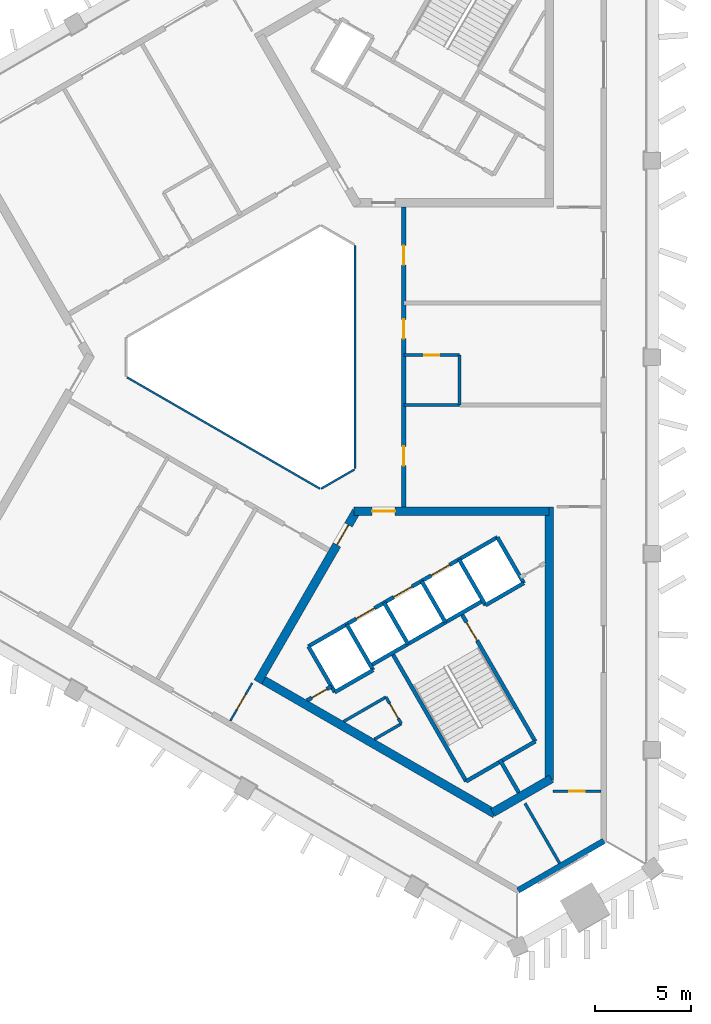
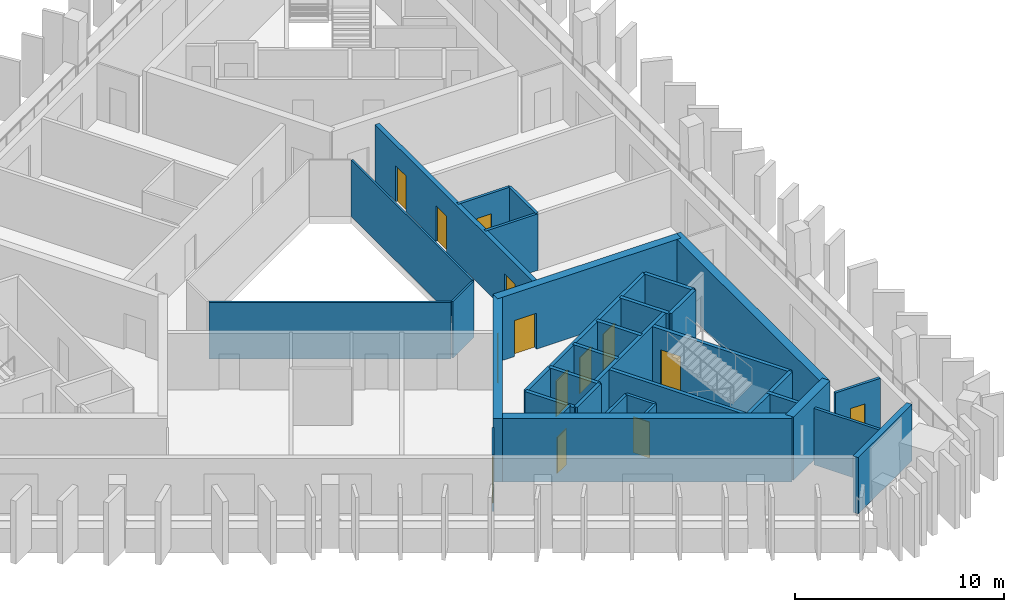
# One storey, part 3 of 9: 34 walls, 14 doors, 14 openings.
"""IFC4 building model written with IfcOpenShell, lengths in metres."""

import ifcopenshell
import ifcopenshell.guid

model = None  # the IFC model being written
_history = None  # IfcOwnerHistory: only IFC2X3 demands one
_inside = {}  # id of a spatial element -> (the spatial element, [elements in it])
_under = {}  # id of a project, library or spatial element -> (it, [spatial elements below it])
_declared = {}  # id of a project -> (the project, [libraries it declares])
_typed = {}  # id of a type object -> (the type object, [elements of that type])
_made_of = {}  # id of a material, layer set ... -> (it, [elements and type objects made of it])


def new_model(schema):
    """Start an empty IFC model of exactly this schema.

    Asked for "IFC4X3", IfcOpenShell would pick the latest addendum, in which some entities
    have other attributes; the version numbers below select the first issue.
    IFC2X3 requires an IfcOwnerHistory on every rooted entity: one is made here for all.
    """
    global model, _history
    if schema == "IFC4X3":
        model = ifcopenshell.file(schema_version=(4, 3, 0, 0))
    else:
        model = ifcopenshell.file(schema=schema)
    _inside.clear()
    _under.clear()
    _declared.clear()
    _typed.clear()
    _made_of.clear()
    _history = None
    if model.schema == "IFC2X3":
        org = make("IfcOrganization", Name="unknown")
        user = make(
            "IfcPersonAndOrganization",
            ThePerson=make("IfcPerson", FamilyName="unknown"),
            TheOrganization=org,
        )
        app = make(
            "IfcApplication",
            ApplicationDeveloper=org,
            Version="unknown",
            ApplicationFullName="unknown",
            ApplicationIdentifier="unknown",
        )
        _history = make(
            "IfcOwnerHistory",
            OwningUser=user,
            OwningApplication=app,
            ChangeAction="ADDED",
            CreationDate=0,
        )
    return model


def make(cls, **values):
    """One entity of the class cls with the attributes given. An attribute that is None is left unset."""
    return model.create_entity(
        cls, **{name: value for name, value in values.items() if value is not None}
    )


def rooted(cls, **values):
    """An entity with a GlobalId (a new one), such as an element, a storey or a relation."""
    return make(cls, GlobalId=ifcopenshell.guid.new(), OwnerHistory=_history, **values)


def si_unit(unit_type, name, prefix=None):
    """IfcSIUnit, for example si_unit("LENGTHUNIT", "METRE", prefix="MILLI")."""
    return make("IfcSIUnit", UnitType=unit_type, Prefix=prefix, Name=name)


def assignment(units):
    """IfcUnitAssignment: the units of a project."""
    return None if units is None else make("IfcUnitAssignment", Units=units)


def point(xyz):
    """IfcCartesianPoint."""
    return None if xyz is None else make("IfcCartesianPoint", Coordinates=xyz)


def direction(xyz):
    """IfcDirection."""
    return None if xyz is None else make("IfcDirection", DirectionRatios=xyz)


def frame(location, z_axis=None, x_axis=None):
    """IfcAxis2Placement3D, a coordinate frame: its origin and axes. An axis left out is left unset."""
    return make(
        "IfcAxis2Placement3D",
        Location=point(location),
        Axis=direction(z_axis),
        RefDirection=direction(x_axis),
    )


def frame_2d(location, x_axis=None):
    """IfcAxis2Placement2D, a coordinate frame in the plane: its origin and x axis."""
    return make(
        "IfcAxis2Placement2D", Location=point(location), RefDirection=direction(x_axis)
    )


def origin():
    """The frame at (0, 0, 0) with its axes left unset."""
    return frame((0.0, 0.0, 0.0))


def place(relative_to, where):
    """IfcLocalPlacement: puts the frame where relative to a parent placement (None: the world)."""
    return make(
        "IfcLocalPlacement", PlacementRelTo=relative_to, RelativePlacement=where
    )


def context(
    kind, dimensions, precision=None, world=None, true_north=None, identifier=None
):
    """IfcGeometricRepresentationContext, for example the 3D "Model" context."""
    return make(
        "IfcGeometricRepresentationContext",
        ContextIdentifier=identifier,
        ContextType=kind,
        CoordinateSpaceDimension=dimensions,
        Precision=precision,
        WorldCoordinateSystem=world,
        TrueNorth=true_north,
    )


def subcontext(parent, identifier, kind, view, scale=None):
    """IfcGeometricRepresentationSubContext, for example "Body" below "Model"."""
    return make(
        "IfcGeometricRepresentationSubContext",
        ContextIdentifier=identifier,
        ContextType=kind,
        ParentContext=parent,
        TargetScale=scale,
        TargetView=view,
    )


def project(units=None, contexts=None):
    """IfcProject with its units and contexts."""
    return rooted(
        "IfcProject",
        Name="project",
        RepresentationContexts=contexts,
        UnitsInContext=assignment(units),
    )


def spatial(cls, under=None, at=None, **own):
    """A site, building, storey or space (cls), placed at a placement, below another one or the project."""
    s = rooted(cls, ObjectPlacement=at, **own)
    if under is not None:
        _under.setdefault(under.id(), (under, []))[1].append(s)
    return s


def profile(cls, at=None, kind="AREA", **sizes):
    """A parametric profile (cls). Its sizes go by their IFC names, for example OverallWidth=200.0."""
    return make(cls, ProfileType=kind, Position=at, **sizes)


def rectangle(**sizes):
    """IfcRectangleProfileDef."""
    return profile("IfcRectangleProfileDef", **sizes)


def extrude(swept, where, along, depth):
    """IfcExtrudedAreaSolid: the profile swept, set in the frame where, extruded along a direction by depth."""
    return make(
        "IfcExtrudedAreaSolid",
        SweptArea=swept,
        Position=where,
        ExtrudedDirection=direction(along),
        Depth=depth,
    )


def shape(context_of_items, identifier, shape_type, items):
    """IfcShapeRepresentation: the items that make up one representation, for example the "Body"."""
    return make(
        "IfcShapeRepresentation",
        ContextOfItems=context_of_items,
        RepresentationIdentifier=identifier,
        RepresentationType=shape_type,
        Items=items,
    )


def material(Name=None, Category=None):
    """IfcMaterial."""
    return make("IfcMaterial", Name=Name, Category=Category)


def layer(
    of_material, thickness, ventilated=None, Name=None, Category=None, Priority=None
):
    """IfcMaterialLayer: one layer of a wall or slab, of a material (None: an air gap)."""
    return make(
        "IfcMaterialLayer",
        Material=of_material,
        LayerThickness=thickness,
        IsVentilated=ventilated,
        Name=Name,
        Category=Category,
        Priority=Priority,
    )


def layer_set(layers, Name=None):
    """IfcMaterialLayerSet."""
    return make("IfcMaterialLayerSet", MaterialLayers=layers, LayerSetName=Name)


def made_of(thing, what):
    """Note that an element or type object is made of a material, layer set ...; save() writes the relation."""
    if what is not None:
        _made_of.setdefault(what.id(), (what, []))[1].append(thing)
    return thing


def type_object(cls, material=None, **own):
    """A type object (cls), such as IfcWallType, which elements share."""
    return made_of(rooted(cls, **own), material)


def element(
    cls,
    number,
    at=None,
    inside=None,
    cuts=None,
    type_object=None,
    material=None,
    context=None,
    identifier="Body",
    shape_type=None,
    held_by="IfcProductDefinitionShape",
    body=None,
    shapes=None,
    **own,
):
    """One element of the class cls, such as IfcWall. Its Tag is "e" and its number.

    at: its placement. inside: the storey or other place that contains it. cuts: it is an
    opening in that element (IfcRelVoidsElement). A single representation is given by context,
    identifier, shape_type and body (its items); several are given by shapes. held_by: the class
    of the entity that holds the representations. save() writes the other relations.
    """
    e = rooted(cls, Tag="e%d" % number, ObjectPlacement=at, **own)
    if body is not None:
        shapes = [shape(context, identifier, shape_type, body)]
    if shapes is not None:
        e.Representation = make(held_by, Representations=shapes)
    if inside is not None:
        _inside.setdefault(inside.id(), (inside, []))[1].append(e)
    if cuts is not None:
        rooted(
            "IfcRelVoidsElement", RelatingBuildingElement=cuts, RelatedOpeningElement=e
        )
    if type_object is not None:
        _typed.setdefault(type_object.id(), (type_object, []))[1].append(e)
    return made_of(e, material)


def fill(opening, filler):
    """IfcRelFillsElement: the door or window that sits in an opening."""
    return rooted(
        "IfcRelFillsElement",
        RelatingOpeningElement=opening,
        RelatedBuildingElement=filler,
    )


def aggregate(whole, parts):
    """IfcRelAggregates: a whole, such as a stair, and the parts it consists of."""
    return rooted("IfcRelAggregates", RelatingObject=whole, RelatedObjects=parts)


def save(model, path):
    """Write the relations noted so far, then the file.

    IfcRelAggregates (storeys below a building ...), IfcRelContainedInSpatialStructure (elements
    in a storey), IfcRelDefinesByType, IfcRelAssociatesMaterial and IfcRelDeclares: one each for
    every whole, place, type object, material and project.
    """
    for whole, parts in _under.values():
        aggregate(whole, parts)
    for where, things in _inside.values():
        rooted(
            "IfcRelContainedInSpatialStructure",
            RelatedElements=things,
            RelatingStructure=where,
        )
    for kind, things in _typed.values():
        rooted("IfcRelDefinesByType", RelatedObjects=things, RelatingType=kind)
    for what, things in _made_of.values():
        rooted("IfcRelAssociatesMaterial", RelatedObjects=things, RelatingMaterial=what)
    for by, libraries in _declared.values():
        rooted("IfcRelDeclares", RelatingContext=by, RelatedDefinitions=libraries)
    model.write(path)


model = new_model("IFC4")

# Units and contexts
model_context = context("Model", 3, precision=1e-05, world=origin(), true_north=direction((0.0, 1.0)))
body_context = subcontext(model_context, "Body", "Model", "MODEL_VIEW")
ifc_project = project(units=[si_unit("LENGTHUNIT", "METRE"), si_unit("AREAUNIT", "SQUARE_METRE"), si_unit("VOLUMEUNIT", "CUBIC_METRE"), si_unit("PLANEANGLEUNIT", "RADIAN"), si_unit("MASSUNIT", "GRAM", prefix="KILO")], contexts=[model_context])

# Site, building, storey
site_placement = place(None, origin())
site = spatial("IfcSite", under=ifc_project, at=site_placement, CompositionType="ELEMENT")
building_placement = place(site_placement, origin())
building = spatial("IfcBuilding", under=site, at=building_placement, Name="Jabali Bay Hotel Tower and Convention Centre", CompositionType="ELEMENT")
storey_placement = place(building_placement, frame((0.0, 0.0, 228.0)))
storey = spatial("IfcBuildingStorey", under=building, at=storey_placement, Name="L56", CompositionType="ELEMENT", Elevation=228.0)

# Walls
ifc_material_1 = material(Name="Fire-resistant glazing", Category="glass")
ifc_layer_1 = layer(ifc_material_1, 0.10009765625)
ifc_layer_set_1 = layer_set([ifc_layer_1], Name="Fire-resistant glazing")
wall_type_1 = type_object("IfcWallType", Name="Atrium glazed screen 100", PredefinedType="PARTITIONING", material=ifc_layer_set_1)
for number, where, z_axis, x_axis, name in (
    (1, (79.56005859375, 74.205810546875, 0.0), (0.0, 0.0, 1.0), (0.0, 1.0, 0.0), "Atrium screen 1 L56"),
    (2, (67.7021484375, 78.947998046875, 0.0), (0.0, 0.0, 1.0), (0.866026658274, -0.499997827154, 0.0), "Atrium screen 5 L56"),
):
    element("IfcWall", number, at=place(storey_placement, frame(where, z_axis=z_axis, x_axis=x_axis)), inside=storey, type_object=wall_type_1, Name=name, PredefinedType="PARTITIONING", context=body_context, shape_type="SweptSolid", body=[
        extrude(rectangle(XDim=11.58837890625, YDim=0.10009765625, at=frame_2d((5.794189453125, 0.0))), origin(), (0.0, 0.0, 1.0), 3.300048828125),
    ])
wall_1_placement = place(storey_placement, frame((77.7978515625, 73.15380859375, 0.0), z_axis=(0.0, 0.0, 1.0), x_axis=(0.866041268327, 0.499972520799, 0.0)))
element("IfcWall", 3, at=wall_1_placement, inside=storey, type_object=wall_type_1, Name="Atrium screen 6 L56", PredefinedType="PARTITIONING", context=body_context, shape_type="SweptSolid", body=[
    extrude(rectangle(XDim=2.0, YDim=0.10009765625, at=frame_2d((1.0, 0.0))), origin(), (0.0, 0.0, 1.0), 3.300048828125),
])
ifc_material_2 = material(Name="Concrete C40", Category="concrete")
ifc_layer_2 = layer(ifc_material_2, 0.199951171875)
ifc_layer_set_2 = layer_set([ifc_layer_2], Name="Concrete C40")
wall_type_2 = type_object("IfcWallType", Name="Core partition wall 200", PredefinedType="PARTITIONING", material=ifc_layer_set_2)
wall_2_placement = place(storey_placement, frame((87.090087890625, 59.0595703125, 0.0), z_axis=(0.0, 0.0, 1.0), x_axis=(0.500011643316, -0.866018681408, 0.0)))
element("IfcWall", 4, at=wall_2_placement, inside=storey, type_object=wall_type_2, Name="Core wall 2.5 L56", PredefinedType="PARTITIONING", context=body_context, shape_type="SweptSolid", body=[
    extrude(rectangle(XDim=1.97314453125, YDim=0.199951171875, at=frame_2d((0.986572265625, 0.0))), origin(), (0.0, 0.0, 1.0), 3.300048828125),
])

# Wall, opening, door
wall_3_placement = place(storey_placement, frame((77.070068359375, 62.142578125, 0.0), z_axis=(0.0, 0.0, 1.0), x_axis=(0.866013036001, 0.500021421018, 0.0)))
wall_3 = element("IfcWall", 5, at=wall_3_placement, inside=storey, type_object=wall_type_2, Name="Core wall 2.11 L56", PredefinedType="PARTITIONING", context=body_context, shape_type="SweptSolid", body=[
    extrude(rectangle(XDim=1.4609375, YDim=0.199951171875, at=frame_2d((0.73046875, 0.0))), origin(), (0.0, 0.0, 1.0), 3.300048828125),
])
opening_1_placement = place(wall_3_placement, frame((0.280517578125, 0.0, 0.0)))
opening_1 = element("IfcOpeningElement", 6, at=opening_1_placement, cuts=wall_3, Name="Opening D1230", PredefinedType="OPENING", context=body_context, shape_type="SweptSolid", body=[
    extrude(rectangle(XDim=0.89990234375, YDim=2.10009765625, at=frame_2d((0.449951171875, 1.050048828125))), frame((0.0, 0.1103515625, 0.0), z_axis=(0.0, -1.0, 0.0), x_axis=(1.0, 0.0, 0.0)), (0.0, 0.0, 1.0), 0.220947265625),
])
ifc_material_3 = material(Name="Fire-rated steel door", Category="steel")
door_type_1 = type_object("IfcDoorType", Name="Vestibule fire door 900 x 2100", OperationType="NOTDEFINED", PredefinedType="NOTDEFINED", material=ifc_material_3)
door_1_placement = place(opening_1_placement, origin())
door_1 = element("IfcDoor", 7, at=door_1_placement, inside=storey, type_object=door_type_1, Name="Vestibule fire door D1230", OperationType="SINGLE_SWING_LEFT", OverallHeight=2.10009765625, OverallWidth=0.89990234375, PredefinedType="NOTDEFINED", context=body_context, shape_type="SweptSolid", body=[
    extrude(rectangle(XDim=0.89990234375, YDim=2.10009765625, at=frame_2d((0.449951171875, 1.050048828125))), frame((0.0, 0.02490234375, 0.0), z_axis=(0.0, -1.0, 0.0), x_axis=(1.0, 0.0, 0.0)), (0.0, 0.0, 1.0), 0.050048828125),
])
fill(opening_1, door_1)

ifc_material_4 = material(Name="Fire-rated board partition")
ifc_layer_3 = layer(ifc_material_4, 0.14990234375)
ifc_layer_set_3 = layer_set([ifc_layer_3], Name="Fire-rated board partition")
wall_type_3 = type_object("IfcWallType", Name="Core room partition 150", PredefinedType="PARTITIONING", material=ifc_layer_set_3)
wall_4_placement = place(storey_placement, frame((81.1689453125, 62.315185546875, 0.0), z_axis=(0.0, 0.0, 1.0), x_axis=(0.499995408039, -0.866028054938, 0.0)))
wall_4 = element("IfcWall", 8, at=wall_4_placement, inside=storey, type_object=wall_type_3, Name="Core wall 2.1 L56", PredefinedType="PARTITIONING", context=body_context, shape_type="SweptSolid", body=[
    extrude(rectangle(XDim=1.60009765625, YDim=0.14990234375, at=frame_2d((0.800048828125, 0.0))), origin(), (0.0, 0.0, 1.0), 3.300048828125),
])
opening_2_placement = place(wall_4_placement, frame((0.387451171875, 0.0, 0.0)))
opening_2 = element("IfcOpeningElement", 9, at=opening_2_placement, cuts=wall_4, Name="Opening D1232", PredefinedType="OPENING", context=body_context, shape_type="SweptSolid", body=[
    extrude(rectangle(XDim=0.89990234375, YDim=2.10009765625, at=frame_2d((0.449951171875, 1.050048828125))), frame((0.0, 0.08544921875, 0.0), z_axis=(0.0, -1.0, 0.0), x_axis=(1.0, 0.0, 0.0)), (0.0, 0.0, 1.0), 0.1708984375),
])
door_type_2 = type_object("IfcDoorType", Name="Core room door 900 x 2100", OperationType="NOTDEFINED", PredefinedType="NOTDEFINED", material=ifc_material_3)
door_2_placement = place(opening_2_placement, origin())
door_2 = element("IfcDoor", 10, at=door_2_placement, inside=storey, type_object=door_type_2, Name="Core room door D1232", OperationType="SINGLE_SWING_LEFT", OverallHeight=2.10009765625, OverallWidth=0.89990234375, PredefinedType="NOTDEFINED", context=body_context, shape_type="SweptSolid", body=[
    extrude(rectangle(XDim=0.89990234375, YDim=2.10009765625, at=frame_2d((0.449951171875, 1.050048828125))), frame((0.0, 0.02490234375, 0.0), z_axis=(0.0, -1.0, 0.0), x_axis=(1.0, 0.0, 0.0)), (0.0, 0.0, 1.0), 0.050048828125),
])
fill(opening_2, door_2)

# Walls
wall_5_placement = place(storey_placement, frame((78.969970703125, 61.045654296875, 0.0), z_axis=(0.0, 0.0, 1.0), x_axis=(0.866033475577, 0.499986018985, 0.0)))
element("IfcWall", 11, at=wall_5_placement, inside=storey, type_object=wall_type_3, Name="Core wall 2.16 L56", PredefinedType="PARTITIONING", context=body_context, shape_type="SweptSolid", body=[
    extrude(rectangle(XDim=2.5390625, YDim=0.14990234375, at=frame_2d((1.26953125, 0.0))), origin(), (0.0, 0.0, 1.0), 3.300048828125),
])
wall_6_placement = place(storey_placement, frame((80.570068359375, 60.121826171875, 0.0), z_axis=(0.0, 0.0, 1.0), x_axis=(0.866039608017, 0.49997539674, 0.0)))
element("IfcWall", 12, at=wall_6_placement, inside=storey, type_object=wall_type_3, Name="Core wall 2.17 L56", PredefinedType="PARTITIONING", context=body_context, shape_type="SweptSolid", body=[
    extrude(rectangle(XDim=1.615234375, YDim=0.14990234375, at=frame_2d((0.8076171875, 0.0))), origin(), (0.0, 0.0, 1.0), 3.300048828125),
])
ifc_layer_4 = layer(ifc_material_2, 0.199951171875)
ifc_layer_set_4 = layer_set([ifc_layer_4], Name="Concrete C40")
wall_type_4 = type_object("IfcWallType", Name="Core stair wall 200", PredefinedType="SOLIDWALL", material=ifc_layer_set_4)
for number, where, z_axis, x_axis, name in (
    (13, (77.13525390625, 64.95166015625, 0.0), (0.0, 0.0, 1.0), (0.499996545922, -0.866027397988, 0.0), "Core wall 2.0 L56"),
    (14, (79.127197265625, 66.1015625, 0.0), (0.0, 0.0, 1.0), (0.499996545922, -0.866027397988, 0.0), "Core wall 2.2 L56"),
):
    element("IfcWall", number, at=place(storey_placement, frame(where, z_axis=z_axis, x_axis=x_axis)), inside=storey, type_object=wall_type_4, Name=name, PredefinedType="SOLIDWALL", context=body_context, shape_type="SweptSolid", body=[
        extrude(rectangle(XDim=2.75, YDim=0.199951171875, at=frame_2d((1.375, 0.0))), origin(), (0.0, 0.0, 1.0), 3.300048828125),
    ])
wall_7_placement = place(storey_placement, frame((81.492919921875, 64.603759765625, 0.0), z_axis=(0.0, 0.0, 1.0), x_axis=(0.500006057782, -0.866021906294, 0.0)))
element("IfcWall", 15, at=wall_7_placement, inside=storey, type_object=wall_type_4, Name="Core wall 2.3 L56", PredefinedType="SOLIDWALL", context=body_context, shape_type="SweptSolid", body=[
    extrude(rectangle(XDim=7.7001953125, YDim=0.199951171875, at=frame_2d((3.85009765625, 0.0))), origin(), (0.0, 0.0, 1.0), 3.300048828125),
])
for number, where, z_axis, x_axis, name in (
    (16, (81.07568359375, 67.2265625, 0.0), (0.0, 0.0, 1.0), (0.50000366821, -0.866023285932, 0.0), "Core wall 2.4 L56"),
    (17, (83.024169921875, 68.3515625, 0.0), (0.0, 0.0, 1.0), (0.50000366821, -0.866023285932, 0.0), "Core wall 2.6 L56"),
):
    element("IfcWall", number, at=place(storey_placement, frame(where, z_axis=z_axis, x_axis=x_axis)), inside=storey, type_object=wall_type_4, Name=name, PredefinedType="SOLIDWALL", context=body_context, shape_type="SweptSolid", body=[
        extrude(rectangle(XDim=2.47998046875, YDim=0.199951171875, at=frame_2d((1.239990234375, 0.0))), origin(), (0.0, 0.0, 1.0), 3.300048828125),
    ])

# Wall, opening, door
wall_8_placement = place(storey_placement, frame((85.0869140625, 66.6787109375, 0.0), z_axis=(0.0, 0.0, 1.0), x_axis=(0.500019787375, -0.866013979237, 0.0)))
wall_8 = element("IfcWall", 18, at=wall_8_placement, inside=storey, type_object=wall_type_4, Name="Core wall 2.7 L56", PredefinedType="SOLIDWALL", context=body_context, shape_type="SweptSolid", body=[
    extrude(rectangle(XDim=7.699951171875, YDim=0.199951171875, at=frame_2d((3.85009765625, 0.0))), origin(), (0.0, 0.0, 1.0), 3.300048828125),
])
opening_3_placement = place(wall_8_placement, frame((0.550048828125, 0.0, 0.0)))
opening_3 = element("IfcOpeningElement", 19, at=opening_3_placement, cuts=wall_8, Name="Opening D1231", PredefinedType="OPENING", context=body_context, shape_type="SweptSolid", body=[
    extrude(rectangle(XDim=1.10009765625, YDim=2.10009765625, at=frame_2d((0.550048828125, 1.050048828125))), frame((0.0, 0.1103515625, 0.0), z_axis=(0.0, -1.0, 0.0), x_axis=(1.0, 0.0, 0.0)), (0.0, 0.0, 1.0), 0.220947265625),
])
door_type_3 = type_object("IfcDoorType", Name="Stair fire door 1100 x 2100", OperationType="NOTDEFINED", PredefinedType="NOTDEFINED", material=ifc_material_3)
door_3_placement = place(opening_3_placement, origin())
door_3 = element("IfcDoor", 20, at=door_3_placement, inside=storey, type_object=door_type_3, Name="Stair fire door D1231", OperationType="SINGLE_SWING_RIGHT", OverallHeight=2.10009765625, OverallWidth=1.10009765625, PredefinedType="NOTDEFINED", context=body_context, shape_type="SweptSolid", body=[
    extrude(rectangle(XDim=1.10009765625, YDim=2.10009765625, at=frame_2d((0.550048828125, 1.050048828125))), frame((0.0, 0.02490234375, 0.0), z_axis=(0.0, -1.0, 0.0), x_axis=(1.0, 0.0, 0.0)), (0.0, 0.0, 1.0), 0.050048828125),
])
fill(opening_3, door_3)

# Walls
for number, where, z_axis, x_axis, name in (
    (21, (84.972900390625, 69.4765625, 0.0), (0.0, 0.0, 1.0), (0.499996545922, -0.866027397988, 0.0), "Core wall 2.8 L56"),
    (22, (86.964599609375, 70.62646484375, 0.0), (0.0, 0.0, 1.0), (0.499996545922, -0.866027397988, 0.0), "Core wall 2.9 L56"),
):
    element("IfcWall", number, at=place(storey_placement, frame(where, z_axis=z_axis, x_axis=x_axis)), inside=storey, type_object=wall_type_4, Name=name, PredefinedType="SOLIDWALL", context=body_context, shape_type="SweptSolid", body=[
        extrude(rectangle(XDim=2.75, YDim=0.199951171875, at=frame_2d((1.375, 0.0))), origin(), (0.0, 0.0, 1.0), 3.300048828125),
    ])

# Wall, openings, doors
wall_9_placement = place(storey_placement, frame((77.13525390625, 64.95166015625, 0.0), z_axis=(0.0, 0.0, 1.0), x_axis=(0.866031916153, 0.499988720078, 0.0)))
wall_9 = element("IfcWall", 23, at=wall_9_placement, inside=storey, type_object=wall_type_4, Name="Core wall 2.10 L56", PredefinedType="SOLIDWALL", context=body_context, shape_type="SweptSolid", body=[
    extrude(rectangle(XDim=11.349853515625, YDim=0.199951171875, at=frame_2d((5.6748046875, 0.0))), origin(), (0.0, 0.0, 1.0), 3.300048828125),
])
opening_4_placement = place(wall_9_placement, frame((2.875, 0.0, 0.0)))
opening_4 = element("IfcOpeningElement", 24, at=opening_4_placement, cuts=wall_9, Name="Opening LD12-L56", PredefinedType="OPENING", context=body_context, shape_type="SweptSolid", body=[
    extrude(rectangle(XDim=1.10009765625, YDim=2.10009765625, at=frame_2d((0.550048828125, 1.050048828125))), frame((0.0, 0.1103515625, 0.0), z_axis=(0.0, -1.0, 0.0), x_axis=(1.0, 0.0, 0.0)), (0.0, 0.0, 1.0), 0.220947265625),
])
opening_5_placement = place(wall_9_placement, frame((5.125, 0.0, 0.0)))
opening_5 = element("IfcOpeningElement", 25, at=opening_5_placement, cuts=wall_9, Name="Opening LD13-L56", PredefinedType="OPENING", context=body_context, shape_type="SweptSolid", body=[
    extrude(rectangle(XDim=1.10009765625, YDim=2.10009765625, at=frame_2d((0.550048828125, 1.050048828125))), frame((0.0, 0.1103515625, 0.0), z_axis=(0.0, -1.0, 0.0), x_axis=(1.0, 0.0, 0.0)), (0.0, 0.0, 1.0), 0.220947265625),
])
opening_6_placement = place(wall_9_placement, frame((7.375, 0.0, 0.0)))
opening_6 = element("IfcOpeningElement", 26, at=opening_6_placement, cuts=wall_9, Name="Opening LD14-L56", PredefinedType="OPENING", context=body_context, shape_type="SweptSolid", body=[
    extrude(rectangle(XDim=1.10009765625, YDim=2.10009765625, at=frame_2d((0.550048828125, 1.050048828125))), frame((0.0, 0.1103515625, 0.0), z_axis=(0.0, -1.0, 0.0), x_axis=(1.0, 0.0, 0.0)), (0.0, 0.0, 1.0), 0.220947265625),
])
ifc_material_5 = material(Name="Stainless steel landing door", Category="steel")
door_type_4 = type_object("IfcDoorType", Name="Landing door 1100 x 2100", OperationType="NOTDEFINED", PredefinedType="NOTDEFINED", material=ifc_material_5)
door_4_placement = place(opening_4_placement, origin())
door_4 = element("IfcDoor", 27, at=door_4_placement, inside=storey, type_object=door_type_4, Name="Landing doors LD12-L56", OperationType="SLIDING_TO_LEFT", OverallHeight=2.10009765625, OverallWidth=1.10009765625, PredefinedType="NOTDEFINED", context=body_context, shape_type="SweptSolid", body=[
    extrude(rectangle(XDim=1.10009765625, YDim=2.10009765625, at=frame_2d((0.550048828125, 1.050048828125))), frame((0.0, 0.02490234375, 0.0), z_axis=(0.0, -1.0, 0.0), x_axis=(1.0, 0.0, 0.0)), (0.0, 0.0, 1.0), 0.050048828125),
])
fill(opening_4, door_4)
door_5_placement = place(opening_5_placement, origin())
door_5 = element("IfcDoor", 28, at=door_5_placement, inside=storey, type_object=door_type_4, Name="Landing doors LD13-L56", OperationType="SLIDING_TO_RIGHT", OverallHeight=2.10009765625, OverallWidth=1.10009765625, PredefinedType="NOTDEFINED", context=body_context, shape_type="SweptSolid", body=[
    extrude(rectangle(XDim=1.10009765625, YDim=2.10009765625, at=frame_2d((0.550048828125, 1.050048828125))), frame((0.0, 0.02490234375, 0.0), z_axis=(0.0, -1.0, 0.0), x_axis=(1.0, 0.0, 0.0)), (0.0, 0.0, 1.0), 0.050048828125),
])
fill(opening_5, door_5)
door_6_placement = place(opening_6_placement, origin())
door_6 = element("IfcDoor", 29, at=door_6_placement, inside=storey, type_object=door_type_4, Name="Landing doors LD14-L56", OperationType="SLIDING_TO_LEFT", OverallHeight=2.10009765625, OverallWidth=1.10009765625, PredefinedType="NOTDEFINED", context=body_context, shape_type="SweptSolid", body=[
    extrude(rectangle(XDim=1.10009765625, YDim=2.10009765625, at=frame_2d((0.550048828125, 1.050048828125))), frame((0.0, 0.02490234375, 0.0), z_axis=(0.0, -1.0, 0.0), x_axis=(1.0, 0.0, 0.0)), (0.0, 0.0, 1.0), 0.050048828125),
])
fill(opening_6, door_6)

# Walls
wall_10_placement = place(storey_placement, frame((80.3671875, 63.953857421875, 0.0), z_axis=(0.0, 0.0, 1.0), x_axis=(0.866026575979, 0.499997969693, 0.0)))
element("IfcWall", 30, at=wall_10_placement, inside=storey, type_object=wall_type_4, Name="Core wall 2.13 L56", PredefinedType="SOLIDWALL", context=body_context, shape_type="SweptSolid", body=[
    extrude(rectangle(XDim=6.75, YDim=0.199951171875, at=frame_2d((3.375, 0.0))), origin(), (0.0, 0.0, 1.0), 3.300048828125),
])
wall_11_placement = place(storey_placement, frame((78.51025390625, 62.570068359375, 0.0), z_axis=(0.0, 0.0, 1.0), x_axis=(0.866053019151, 0.499952165731, 0.0)))
element("IfcWall", 31, at=wall_11_placement, inside=storey, type_object=wall_type_4, Name="Core wall 2.14 L56", PredefinedType="SOLIDWALL", context=body_context, shape_type="SweptSolid", body=[
    extrude(rectangle(XDim=2.300048828125, YDim=0.199951171875, at=frame_2d((1.14990234375, 0.0))), origin(), (0.0, 0.0, 1.0), 3.300048828125),
])
wall_12_placement = place(storey_placement, frame((86.347900390625, 67.094970703125, 0.0), z_axis=(0.0, 0.0, 1.0), x_axis=(0.86602648383, 0.499998129301, 0.0)))
element("IfcWall", 32, at=wall_12_placement, inside=storey, type_object=wall_type_4, Name="Core wall 2.15 L56", PredefinedType="SOLIDWALL", context=body_context, shape_type="SweptSolid", body=[
    extrude(rectangle(XDim=2.2998046875, YDim=0.199951171875, at=frame_2d((1.14990234375, 0.0))), origin(), (0.0, 0.0, 1.0), 3.300048828125),
])
wall_13_placement = place(storey_placement, frame((85.343017578125, 57.935302734375, 0.0), z_axis=(0.0, 0.0, 1.0), x_axis=(0.866004344652, 0.500036473714, 0.0)))
element("IfcWall", 33, at=wall_13_placement, inside=storey, type_object=wall_type_4, Name="Core wall 2.18 L56", PredefinedType="SOLIDWALL", context=body_context, shape_type="SweptSolid", body=[
    extrude(rectangle(XDim=4.150146484375, YDim=0.199951171875, at=frame_2d((2.0751953125, 0.0))), origin(), (0.0, 0.0, 1.0), 3.300048828125),
])

# Wall, opening, door
ifc_material_6 = material(Name="Concrete C60", Category="concrete")
ifc_layer_5 = layer(ifc_material_6, 0.449951171875)
ifc_layer_set_5 = layer_set([ifc_layer_5], Name="Concrete C60")
wall_type_5 = type_object("IfcWallType", Name="Core wall 450", PredefinedType="SHEAR", material=ifc_layer_set_5)
wall_14_placement = place(storey_placement, frame((79.6298828125, 71.980712890625, 0.0), z_axis=(0.0, 0.0, 1.0), x_axis=(-0.500002171595, -0.86602415001, 0.0)))
wall_14 = element("IfcWall", 34, at=wall_14_placement, inside=storey, type_object=wall_type_5, Name="Core wall 3.1 L56", PredefinedType="SHEAR", context=body_context, shape_type="SweptSolid", body=[
    extrude(rectangle(XDim=10.25, YDim=0.449951171875, at=frame_2d((5.125, 0.0))), origin(), (0.0, 0.0, 1.0), 3.699951171875),
])
opening_7_placement = place(wall_14_placement, frame((0.820068359375, 0.0, 0.0)))
opening_7 = element("IfcOpeningElement", 35, at=opening_7_placement, cuts=wall_14, Name="Opening D1227", PredefinedType="OPENING", context=body_context, shape_type="SweptSolid", body=[
    extrude(rectangle(XDim=1.199951171875, YDim=2.10009765625, at=frame_2d((0.60009765625, 1.050048828125))), frame((0.0, 0.2353515625, 0.0), z_axis=(0.0, -1.0, 0.0), x_axis=(1.0, 0.0, 0.0)), (0.0, 0.0, 1.0), 0.470947265625),
])
door_type_5 = type_object("IfcDoorType", Name="Corridor end fire door 1200 x 2100", OperationType="NOTDEFINED", PredefinedType="NOTDEFINED", material=ifc_material_3)
door_7_placement = place(opening_7_placement, origin())
door_7 = element("IfcDoor", 36, at=door_7_placement, inside=storey, type_object=door_type_5, Name="Corridor end fire door D1227", OperationType="SINGLE_SWING_RIGHT", OverallHeight=2.10009765625, OverallWidth=1.199951171875, PredefinedType="NOTDEFINED", context=body_context, shape_type="SweptSolid", body=[
    extrude(rectangle(XDim=1.199951171875, YDim=2.10009765625, at=frame_2d((0.60009765625, 1.050048828125))), frame((0.0, 0.02490234375, 0.0), z_axis=(0.0, -1.0, 0.0), x_axis=(1.0, 0.0, 0.0)), (0.0, 0.0, 1.0), 0.050048828125),
])
fill(opening_7, door_7)

# Walls
wall_15_placement = place(storey_placement, frame((74.617431640625, 63.298828125, 0.0), z_axis=(0.0, 0.0, 1.0), x_axis=(0.86602594008, -0.499999071108, 0.0)))
element("IfcWall", 37, at=wall_15_placement, inside=storey, type_object=wall_type_5, Name="Core wall 3.2 L56", PredefinedType="SHEAR", context=body_context, shape_type="SweptSolid", body=[
    extrude(rectangle(XDim=14.1083984375, YDim=0.449951171875, at=frame_2d((7.05419921875, 0.0))), origin(), (0.0, 0.0, 1.0), 3.699951171875),
])
wall_16_placement = place(storey_placement, frame((86.72314453125, 56.3095703125, 0.0), z_axis=(0.0, 0.0, 1.0), x_axis=(0.866042179588, 0.49997094233, 0.0)))
element("IfcWall", 38, at=wall_16_placement, inside=storey, type_object=wall_type_5, Name="Core wall 3.3 L56", PredefinedType="SHEAR", context=body_context, shape_type="SweptSolid", body=[
    extrude(rectangle(XDim=3.515380859375, YDim=0.449951171875, at=frame_2d((1.7578125, 0.0))), origin(), (0.0, 0.0, 1.0), 3.699951171875),
])
wall_17_placement = place(storey_placement, frame((89.655029296875, 58.002197265625, 0.0), z_axis=(0.0, 0.0, 1.0), x_axis=(0.0, 1.0, 0.0)))
element("IfcWall", 39, at=wall_17_placement, inside=storey, type_object=wall_type_5, Name="Core wall 3.4 L56", PredefinedType="SHEAR", context=body_context, shape_type="SweptSolid", body=[
    extrude(rectangle(XDim=14.20361328125, YDim=0.449951171875, at=frame_2d((7.101806640625, 0.0))), origin(), (0.0, 0.0, 1.0), 3.699951171875),
])

# Wall, opening, door
wall_18_placement = place(storey_placement, frame((89.655029296875, 71.980712890625, 0.0), z_axis=(0.0, 0.0, 1.0), x_axis=(-1.0, 0.0, 0.0)))
wall_18 = element("IfcWall", 40, at=wall_18_placement, inside=storey, type_object=wall_type_5, Name="Core wall 3.5 L56", PredefinedType="SHEAR", context=body_context, shape_type="SweptSolid", body=[
    extrude(rectangle(XDim=10.155029296875, YDim=0.449951171875, at=frame_2d((5.07763671875, 0.0))), origin(), (0.0, 0.0, 1.0), 3.699951171875),
])
opening_8_placement = place(wall_18_placement, frame((8.0048828125, 0.0, 0.0)))
opening_8 = element("IfcOpeningElement", 41, at=opening_8_placement, cuts=wall_18, Name="Opening D1228", PredefinedType="OPENING", context=body_context, shape_type="SweptSolid", body=[
    extrude(rectangle(XDim=1.199951171875, YDim=2.10009765625, at=frame_2d((0.60009765625, 1.050048828125))), frame((0.0, 0.2353515625, 0.0), z_axis=(0.0, -1.0, 0.0), x_axis=(1.0, 0.0, 0.0)), (0.0, 0.0, 1.0), 0.470947265625),
])
door_8_placement = place(opening_8_placement, origin())
door_8 = element("IfcDoor", 42, at=door_8_placement, inside=storey, type_object=door_type_5, Name="Corridor end fire door D1228", OperationType="SINGLE_SWING_LEFT", OverallHeight=2.10009765625, OverallWidth=1.199951171875, PredefinedType="NOTDEFINED", context=body_context, shape_type="SweptSolid", body=[
    extrude(rectangle(XDim=1.199951171875, YDim=2.10009765625, at=frame_2d((0.60009765625, 1.050048828125))), frame((0.0, 0.02490234375, 0.0), z_axis=(0.0, -1.0, 0.0), x_axis=(1.0, 0.0, 0.0)), (0.0, 0.0, 1.0), 0.050048828125),
])
fill(opening_8, door_8)

# Wall, openings, doors
ifc_layer_6 = layer(ifc_material_6, 0.25)
ifc_layer_set_6 = layer_set([ifc_layer_6], Name="Concrete C60")
wall_type_6 = type_object("IfcWallType", Name="Corridor wall 250", PredefinedType="SHEAR", material=ifc_layer_set_6)
wall_19_placement = place(storey_placement, frame((82.10009765625, 72.205810546875, 0.0), z_axis=(0.0, 0.0, 1.0), x_axis=(0.0, 1.0, 0.0)))
wall_19 = element("IfcWall", 43, at=wall_19_placement, inside=storey, type_object=wall_type_6, Name="Corridor wall 1 L56", PredefinedType="SHEAR", context=body_context, shape_type="SweptSolid", body=[
    extrude(rectangle(XDim=15.58837890625, YDim=0.25, at=frame_2d((7.794189453125, 0.0))), origin(), (0.0, 0.0, 1.0), 3.300048828125),
])
opening_9_placement = place(wall_19_placement, frame((2.14990234375, 0.0, 0.0)))
opening_9 = element("IfcOpeningElement", 44, at=opening_9_placement, cuts=wall_19, Name="Opening 5601", PredefinedType="OPENING", context=body_context, shape_type="SweptSolid", body=[
    extrude(rectangle(XDim=1.0, YDim=2.10009765625, at=frame_2d((0.5, 1.050048828125))), frame((0.0, 0.135498046875, 0.0), z_axis=(0.0, -1.0, 0.0), x_axis=(1.0, 0.0, 0.0)), (0.0, 0.0, 1.0), 0.27099609375),
])
opening_10_placement = place(wall_19_placement, frame((8.75, 0.0, 0.0)))
opening_10 = element("IfcOpeningElement", 45, at=opening_10_placement, cuts=wall_19, Name="Opening 5605", PredefinedType="OPENING", context=body_context, shape_type="SweptSolid", body=[
    extrude(rectangle(XDim=1.0, YDim=2.10009765625, at=frame_2d((0.5, 1.050048828125))), frame((0.0, 0.135498046875, 0.0), z_axis=(0.0, -1.0, 0.0), x_axis=(1.0, 0.0, 0.0)), (0.0, 0.0, 1.0), 0.27099609375),
])
opening_11_placement = place(wall_19_placement, frame((12.59423828125, 0.0, 0.0)))
opening_11 = element("IfcOpeningElement", 46, at=opening_11_placement, cuts=wall_19, Name="Opening 5606", PredefinedType="OPENING", context=body_context, shape_type="SweptSolid", body=[
    extrude(rectangle(XDim=1.0, YDim=2.10009765625, at=frame_2d((0.5, 1.050048828125))), frame((0.0, 0.135498046875, 0.0), z_axis=(0.0, -1.0, 0.0), x_axis=(1.0, 0.0, 0.0)), (0.0, 0.0, 1.0), 0.27099609375),
])
ifc_material_7 = material(Name="Timber", Category="wood")
door_type_6 = type_object("IfcDoorType", Name="Guest room door 1000 x 2100", OperationType="NOTDEFINED", PredefinedType="NOTDEFINED", material=ifc_material_7)
door_9_placement = place(opening_9_placement, origin())
door_9 = element("IfcDoor", 47, at=door_9_placement, inside=storey, type_object=door_type_6, Name="Door 5601", OperationType="SINGLE_SWING_LEFT", OverallHeight=2.10009765625, OverallWidth=1.0, PredefinedType="NOTDEFINED", context=body_context, shape_type="SweptSolid", body=[
    extrude(rectangle(XDim=1.0, YDim=2.10009765625, at=frame_2d((0.5, 1.050048828125))), frame((0.0, 0.02490234375, 0.0), z_axis=(0.0, -1.0, 0.0), x_axis=(1.0, 0.0, 0.0)), (0.0, 0.0, 1.0), 0.050048828125),
])
fill(opening_9, door_9)
door_10_placement = place(opening_10_placement, origin())
door_10 = element("IfcDoor", 48, at=door_10_placement, inside=storey, type_object=door_type_6, Name="Door 5605", OperationType="SINGLE_SWING_RIGHT", OverallHeight=2.10009765625, OverallWidth=1.0, PredefinedType="NOTDEFINED", context=body_context, shape_type="SweptSolid", body=[
    extrude(rectangle(XDim=1.0, YDim=2.10009765625, at=frame_2d((0.5, 1.050048828125))), frame((0.0, 0.02490234375, 0.0), z_axis=(0.0, -1.0, 0.0), x_axis=(1.0, 0.0, 0.0)), (0.0, 0.0, 1.0), 0.050048828125),
])
fill(opening_10, door_10)
door_11_placement = place(opening_11_placement, origin())
door_11 = element("IfcDoor", 49, at=door_11_placement, inside=storey, type_object=door_type_6, Name="Door 5606", OperationType="SINGLE_SWING_RIGHT", OverallHeight=2.10009765625, OverallWidth=1.0, PredefinedType="NOTDEFINED", context=body_context, shape_type="SweptSolid", body=[
    extrude(rectangle(XDim=1.0, YDim=2.10009765625, at=frame_2d((0.5, 1.050048828125))), frame((0.0, 0.02490234375, 0.0), z_axis=(0.0, -1.0, 0.0), x_axis=(1.0, 0.0, 0.0)), (0.0, 0.0, 1.0), 0.050048828125),
])
fill(opening_11, door_11)

# Wall
ifc_layer_7 = layer(ifc_material_2, 0.300048828125)
ifc_layer_set_7 = layer_set([ifc_layer_7], Name="Concrete C40")
wall_type_7 = type_object("IfcWallType", Name="External wall 300", PredefinedType="SOLIDWALL", material=ifc_layer_set_7)
wall_20_placement = place(storey_placement, frame((92.502685546875, 54.833740234375, 0.0), z_axis=(0.0, 0.0, 1.0), x_axis=(-0.866011086668, -0.500024797153, 0.0)))
element("IfcWall", 50, at=wall_20_placement, inside=storey, type_object=wall_type_7, Name="External wall south-east chamfer L56", PredefinedType="SOLIDWALL", context=body_context, shape_type="SweptSolid", body=[
    extrude(rectangle(XDim=5.149169921875, YDim=0.300048828125, at=frame_2d((2.57470703125, 0.0))), origin(), (0.0, 0.0, 1.0), 3.300048828125),
])

# Wall, opening, door
ifc_material_8 = material(Name="Plasterboard on steel stud", Category="steel")
ifc_layer_8 = layer(ifc_material_8, 0.10009765625)
ifc_layer_set_8 = layer_set([ifc_layer_8], Name="Plasterboard on steel stud")
wall_type_8 = type_object("IfcWallType", Name="Partition 100 unit", PredefinedType="PARTITIONING", material=ifc_layer_set_8)
wall_21_placement = place(storey_placement, frame((73.0732421875, 61.07421875, 0.0), z_axis=(0.0, 0.0, 1.0), x_axis=(0.499948534732, 0.866055115232, 0.0)))
wall_21 = element("IfcWall", 51, at=wall_21_placement, inside=storey, type_object=wall_type_8, Name="Partition P02 L56 028", PredefinedType="PARTITIONING", context=body_context, shape_type="SweptSolid", body=[
    extrude(rectangle(XDim=2.274658203125, YDim=0.10009765625, at=frame_2d((1.13720703125, 0.0))), origin(), (0.0, 0.0, 1.0), 3.300048828125),
])
opening_12_placement = place(wall_21_placement, frame((0.68701171875, 0.0, 0.0)))
opening_12 = element("IfcOpeningElement", 52, at=opening_12_placement, cuts=wall_21, Name="Opening 5623", PredefinedType="OPENING", context=body_context, shape_type="SweptSolid", body=[
    extrude(rectangle(XDim=0.89990234375, YDim=2.10009765625, at=frame_2d((0.449951171875, 1.050048828125))), frame((0.0, 0.060546875, 0.0), z_axis=(0.0, -1.0, 0.0), x_axis=(1.0, 0.0, 0.0)), (0.0, 0.0, 1.0), 0.12109375),
])
door_type_7 = type_object("IfcDoorType", Name="Internal door 900 x 2100", OperationType="NOTDEFINED", PredefinedType="NOTDEFINED", material=ifc_material_7)
door_12_placement = place(opening_12_placement, origin())
door_12 = element("IfcDoor", 53, at=door_12_placement, inside=storey, type_object=door_type_7, Name="Door 5623", OperationType="SINGLE_SWING_LEFT", OverallHeight=2.10009765625, OverallWidth=0.89990234375, PredefinedType="NOTDEFINED", context=body_context, shape_type="SweptSolid", body=[
    extrude(rectangle(XDim=0.89990234375, YDim=2.10009765625, at=frame_2d((0.449951171875, 1.050048828125))), frame((0.0, 0.02490234375, 0.0), z_axis=(0.0, -1.0, 0.0), x_axis=(1.0, 0.0, 0.0)), (0.0, 0.0, 1.0), 0.050048828125),
])
fill(opening_12, door_12)

# Wall
ifc_layer_9 = layer(ifc_material_8, 0.14990234375)
ifc_layer_set_9 = layer_set([ifc_layer_9], Name="Plasterboard on steel stud")
wall_type_9 = type_object("IfcWallType", Name="Partition 150 wet", PredefinedType="PARTITIONING", material=ifc_layer_set_9)
wall_22_placement = place(storey_placement, frame((85.0, 77.505859375, 0.0), z_axis=(0.0, 0.0, 1.0), x_axis=(-1.0, 0.0, 0.0)))
element("IfcWall", 54, at=wall_22_placement, inside=storey, type_object=wall_type_9, Name="Partition P03 L56 003", PredefinedType="PARTITIONING", context=body_context, shape_type="SweptSolid", body=[
    extrude(rectangle(XDim=2.89990234375, YDim=0.14990234375, at=frame_2d((1.449951171875, 0.0))), origin(), (0.0, 0.0, 1.0), 3.300048828125),
])

# Wall, opening, door
wall_23_placement = place(storey_placement, frame((89.861083984375, 57.41650390625, 0.0), z_axis=(0.0, 0.0, 1.0), x_axis=(1.0, 0.0, 0.0)))
wall_23 = element("IfcWall", 55, at=wall_23_placement, inside=storey, type_object=wall_type_9, Name="Partition P03 L56 004", PredefinedType="PARTITIONING", context=body_context, shape_type="SweptSolid", body=[
    extrude(rectangle(XDim=2.492431640625, YDim=0.14990234375, at=frame_2d((1.24609375, 0.0))), origin(), (0.0, 0.0, 1.0), 3.300048828125),
])
opening_13_placement = place(wall_23_placement, frame((0.845947265625, 0.0, 0.0)))
opening_13 = element("IfcOpeningElement", 56, at=opening_13_placement, cuts=wall_23, Name="Opening 5603", PredefinedType="OPENING", context=body_context, shape_type="SweptSolid", body=[
    extrude(rectangle(XDim=0.800048828125, YDim=2.10009765625, at=frame_2d((0.39990234375, 1.050048828125))), frame((0.0, 0.08544921875, 0.0), z_axis=(0.0, -1.0, 0.0), x_axis=(1.0, 0.0, 0.0)), (0.0, 0.0, 1.0), 0.1708984375),
])
door_type_8 = type_object("IfcDoorType", Name="En-suite door 800 x 2100", OperationType="NOTDEFINED", PredefinedType="NOTDEFINED", material=ifc_material_7)
door_13_placement = place(opening_13_placement, origin())
door_13 = element("IfcDoor", 57, at=door_13_placement, inside=storey, type_object=door_type_8, Name="Door 5603", OperationType="SINGLE_SWING_RIGHT", OverallHeight=2.10009765625, OverallWidth=0.800048828125, PredefinedType="NOTDEFINED", context=body_context, shape_type="SweptSolid", body=[
    extrude(rectangle(XDim=0.800048828125, YDim=2.10009765625, at=frame_2d((0.39990234375, 1.050048828125))), frame((0.0, 0.02490234375, 0.0), z_axis=(0.0, -1.0, 0.0), x_axis=(1.0, 0.0, 0.0)), (0.0, 0.0, 1.0), 0.050048828125),
])
fill(opening_13, door_13)

# Wall
wall_24_placement = place(storey_placement, frame((88.40185546875, 56.789306640625, 0.0), z_axis=(0.0, 0.0, 1.0), x_axis=(0.500032055595, -0.866006895687, 0.0)))
element("IfcWall", 58, at=wall_24_placement, inside=storey, type_object=wall_type_9, Name="Partition P03 L56 005", PredefinedType="PARTITIONING", context=body_context, shape_type="SweptSolid", body=[
    extrude(rectangle(XDim=3.594970703125, YDim=0.14990234375, at=frame_2d((1.79736328125, 0.0))), origin(), (0.0, 0.0, 1.0), 3.300048828125),
])

# Wall, opening, door
wall_25_placement = place(storey_placement, frame((82.10009765625, 80.10595703125, 0.0), z_axis=(0.0, 0.0, 1.0), x_axis=(1.0, 0.0, 0.0)))
wall_25 = element("IfcWall", 59, at=wall_25_placement, inside=storey, type_object=wall_type_9, Name="Partition P03 L56 006", PredefinedType="PARTITIONING", context=body_context, shape_type="SweptSolid", body=[
    extrude(rectangle(XDim=2.89990234375, YDim=0.14990234375, at=frame_2d((1.449951171875, 0.0))), origin(), (0.0, 0.0, 1.0), 3.300048828125),
])
opening_14_placement = place(wall_25_placement, frame((1.050048828125, 0.0, 0.0)))
opening_14 = element("IfcOpeningElement", 60, at=opening_14_placement, cuts=wall_25, Name="Opening 5604", PredefinedType="OPENING", context=body_context, shape_type="SweptSolid", body=[
    extrude(rectangle(XDim=0.800048828125, YDim=2.10009765625, at=frame_2d((0.39990234375, 1.050048828125))), frame((0.0, 0.08544921875, 0.0), z_axis=(0.0, -1.0, 0.0), x_axis=(1.0, 0.0, 0.0)), (0.0, 0.0, 1.0), 0.1708984375),
])
door_14_placement = place(opening_14_placement, origin())
door_14 = element("IfcDoor", 61, at=door_14_placement, inside=storey, type_object=door_type_8, Name="Door 5604", OperationType="SINGLE_SWING_RIGHT", OverallHeight=2.10009765625, OverallWidth=0.800048828125, PredefinedType="NOTDEFINED", context=body_context, shape_type="SweptSolid", body=[
    extrude(rectangle(XDim=0.800048828125, YDim=2.10009765625, at=frame_2d((0.39990234375, 1.050048828125))), frame((0.0, 0.02490234375, 0.0), z_axis=(0.0, -1.0, 0.0), x_axis=(1.0, 0.0, 0.0)), (0.0, 0.0, 1.0), 0.050048828125),
])
fill(opening_14, door_14)

# Wall
wall_26_placement = place(storey_placement, frame((85.0, 80.10595703125, 0.0), z_axis=(0.0, 0.0, 1.0), x_axis=(0.0, -1.0, 0.0)))
element("IfcWall", 62, at=wall_26_placement, inside=storey, type_object=wall_type_9, Name="Partition P03 L56 007", PredefinedType="PARTITIONING", context=body_context, shape_type="SweptSolid", body=[
    extrude(rectangle(XDim=2.60009765625, YDim=0.14990234375, at=frame_2d((1.300048828125, 0.0))), origin(), (0.0, 0.0, 1.0), 3.300048828125),
])

save(model, "model.ifc")
